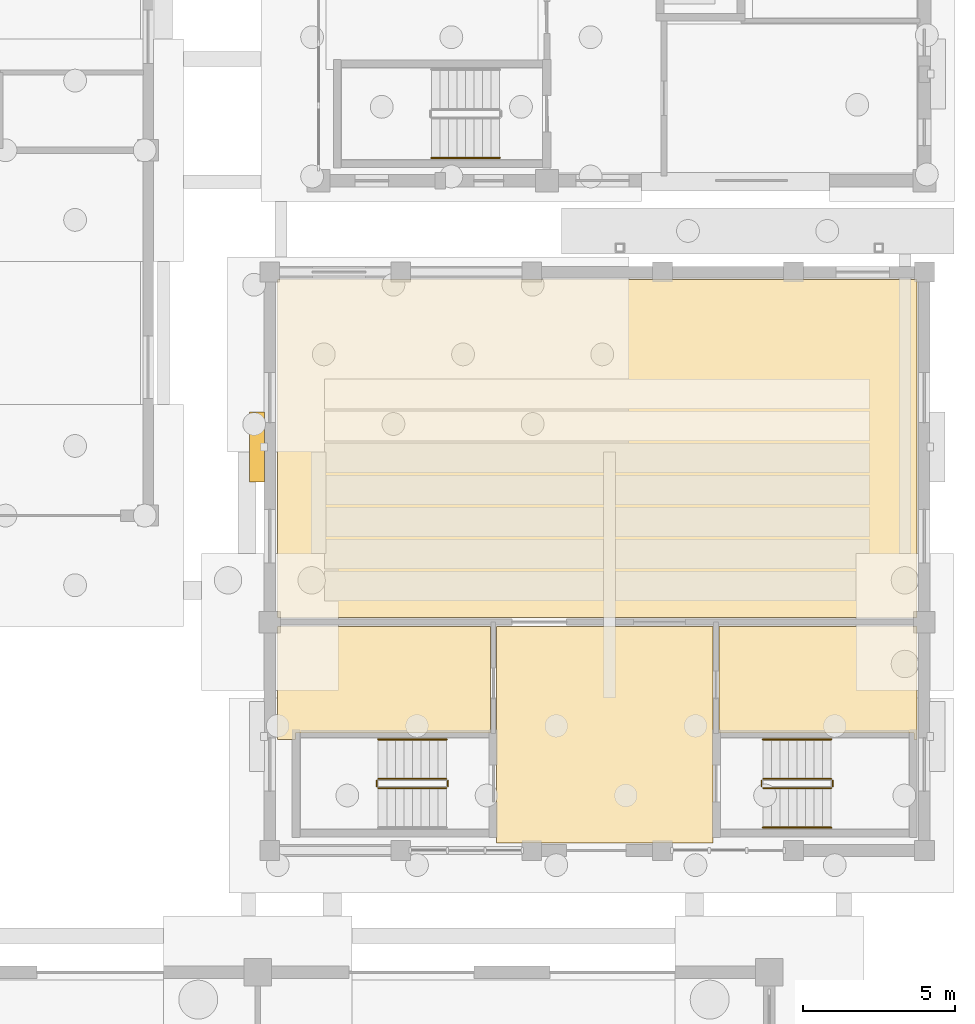
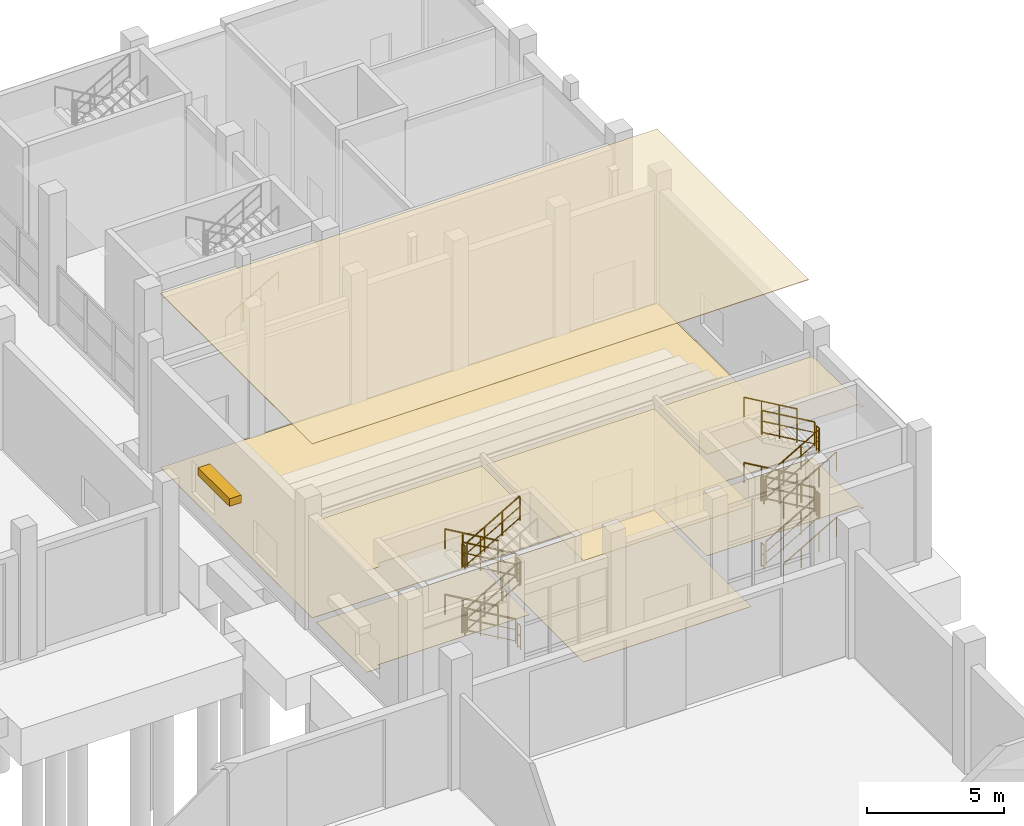
# One storey, part 57 of 60: 23 railings, 8 coverings, 1 shading device.
"""IFC4 building model written with IfcOpenShell, lengths in metres."""

from ifc_helpers import new_model, si_unit, direction, frame, origin, origin_2d, place, context, subcontext, project, spatial, polyline, rectangle, circle, outline, extrude, material, layer, layer_set, type_object, element, save


model = new_model("IFC4")

# Units and contexts
model_context = context("Model", 3, precision=1e-05, world=origin(), true_north=direction((0.0, 1.0)))
body_context = subcontext(model_context, "Body", "Model", "MODEL_VIEW")
ifc_project = project(units=[si_unit("LENGTHUNIT", "METRE"), si_unit("AREAUNIT", "SQUARE_METRE"), si_unit("VOLUMEUNIT", "CUBIC_METRE"), si_unit("PLANEANGLEUNIT", "RADIAN"), si_unit("MASSUNIT", "GRAM", prefix="KILO")], contexts=[model_context])

# Site, building, storey
site_placement = place(None, origin())
site = spatial("IfcSite", under=ifc_project, at=site_placement, CompositionType="ELEMENT")
building_placement = place(site_placement, origin())
building = spatial("IfcBuilding", under=site, at=building_placement, Name="Trellovar Central Fire Station", CompositionType="ELEMENT")
storey_placement = place(building_placement, origin())
storey = spatial("IfcBuildingStorey", under=building, at=storey_placement, Name="L01", CompositionType="ELEMENT", Elevation=0.0)

# Coverings
ifc_material_1 = material(Name="Perforated acoustic mineral fiber ceiling tile", Category="mineral")
ifc_layer_1 = layer(ifc_material_1, 0.02490234375)
ifc_layer_set_1 = layer_set([ifc_layer_1], Name="Perforated acoustic mineral fiber ceiling tile")
covering_type_1 = type_object("IfcCoveringType", Name="COV-CLG1", PredefinedType="CEILING", material=ifc_layer_set_1)
covering_1_placement = place(storey_placement, frame((0.0, 0.0, 4.530029296875)))
element("IfcCovering", 1, at=covering_1_placement, inside=storey, type_object=covering_type_1, Name="Lecture Protected Exit Lobby suspended ceiling", PredefinedType="CEILING", context=body_context, shape_type="SweptSolid", body=[
    extrude(outline(polyline([(154.050048828125, 37.25), (146.949951171875, 37.25), (146.949951171875, 44.35009765625), (154.050048828125, 44.35009765625), (154.050048828125, 37.25)])), origin(), (0.0, 0.0, 1.0), 0.02490234375),
])
covering_2_placement = place(storey_placement, frame((0.0, 0.0, 4.530029296875)))
element("IfcCovering", 2, at=covering_2_placement, inside=storey, type_object=covering_type_1, Name="Auditorium Coat Check and Ticket Office suspended ceiling", PredefinedType="CEILING", context=body_context, shape_type="SweptSolid", body=[
    extrude(outline(polyline([(139.75, 44.35009765625), (146.75, 44.35009765625), (146.75, 40.860107421875), (140.340087890625, 40.860107421875), (140.340087890625, 40.64990234375), (139.75, 40.64990234375), (139.75, 44.35009765625)])), origin(), (0.0, 0.0, 1.0), 0.02490234375),
])
covering_3_placement = place(storey_placement, frame((0.0, 0.0, 7.780029296875)))
element("IfcCovering", 3, at=covering_3_placement, inside=storey, type_object=covering_type_1, Name="Tiered Civic Lecture Theatre suspended ceiling", PredefinedType="CEILING", context=body_context, shape_type="SweptSolid", body=[
    extrude(outline(polyline([(160.75, 44.64990234375), (139.75, 44.64990234375), (139.75, 55.75), (160.75, 55.75), (160.75, 44.64990234375)])), origin(), (0.0, 0.0, 1.0), 0.02490234375),
])
ifc_material_2 = material(Name="Moisture-resistant gypsum ceiling board", Category="gypsum")
ifc_layer_2 = layer(ifc_material_2, 0.030029296875)
ifc_layer_set_2 = layer_set([ifc_layer_2], Name="Moisture-resistant gypsum ceiling board")
covering_type_2 = type_object("IfcCoveringType", Name="COV-CLG2", PredefinedType="CEILING", material=ifc_layer_set_2)
covering_4_placement = place(storey_placement, frame((0.0, 0.0, 4.530029296875)))
element("IfcCovering", 4, at=covering_4_placement, inside=storey, type_object=covering_type_2, Name="Auditorium Accessible WC suspended ceiling", PredefinedType="CEILING", context=body_context, shape_type="SweptSolid", body=[
    extrude(outline(polyline([(154.25, 44.35009765625), (160.75, 44.35009765625), (160.75, 40.64990234375), (160.659912109375, 40.64990234375), (160.659912109375, 40.860107421875), (154.25, 40.860107421875), (154.25, 44.35009765625)])), origin(), (0.0, 0.0, 1.0), 0.030029296875),
])
ifc_material_3 = material(Name="Vitrified Catalan ceramic floor tile", Category="masonry")
ifc_layer_3 = layer(ifc_material_3, 0.01806640625)
ifc_layer_set_3 = layer_set([ifc_layer_3], Name="Vitrified Catalan ceramic floor tile")
covering_type_3 = type_object("IfcCoveringType", Name="COV-FLR2", PredefinedType="FLOORING", material=ifc_layer_set_3)
covering_5_placement = place(storey_placement, origin())
element("IfcCovering", 5, at=covering_5_placement, inside=storey, type_object=covering_type_3, Name="Lecture Protected Exit Lobby floor finish", PredefinedType="FLOORING", context=body_context, shape_type="SweptSolid", body=[
    extrude(outline(polyline([(154.050048828125, 37.25), (146.949951171875, 37.25), (146.949951171875, 44.35009765625), (154.050048828125, 44.35009765625), (154.050048828125, 37.25)])), origin(), (0.0, 0.0, 1.0), 0.01806640625),
])
covering_6_placement = place(storey_placement, origin())
element("IfcCovering", 6, at=covering_6_placement, inside=storey, type_object=covering_type_3, Name="Auditorium Coat Check and Ticket Office floor finish", PredefinedType="FLOORING", context=body_context, shape_type="SweptSolid", body=[
    extrude(outline(polyline([(139.75, 44.35009765625), (146.75, 44.35009765625), (146.75, 40.860107421875), (140.340087890625, 40.860107421875), (140.340087890625, 40.64990234375), (139.75, 40.64990234375), (139.75, 44.35009765625)])), origin(), (0.0, 0.0, 1.0), 0.01806640625),
])
covering_7_placement = place(storey_placement, origin())
element("IfcCovering", 7, at=covering_7_placement, inside=storey, type_object=covering_type_3, Name="Auditorium Accessible WC floor finish", PredefinedType="FLOORING", context=body_context, shape_type="SweptSolid", body=[
    extrude(outline(polyline([(154.25, 44.35009765625), (160.75, 44.35009765625), (160.75, 40.64990234375), (160.659912109375, 40.64990234375), (160.659912109375, 40.860107421875), (154.25, 40.860107421875), (154.25, 44.35009765625)])), origin(), (0.0, 0.0, 1.0), 0.01806640625),
])
covering_8_placement = place(storey_placement, origin())
element("IfcCovering", 8, at=covering_8_placement, inside=storey, type_object=covering_type_3, Name="Tiered Civic Lecture Theatre floor finish", PredefinedType="FLOORING", context=body_context, shape_type="SweptSolid", body=[
    extrude(outline(polyline([(160.75, 44.64990234375), (139.75, 44.64990234375), (139.75, 55.75), (160.75, 55.75), (160.75, 44.64990234375)])), origin(), (0.0, 0.0, 1.0), 0.01806640625),
])

# Railings
ifc_material_4 = material(Name="Patina bronze wrought metalwork", Category="metal")
ifc_layer_4 = layer(ifc_material_4, 0.048095703125)
ifc_layer_set_4 = layer_set([ifc_layer_4], Name="Patina bronze wrought metalwork")
railing_type_1 = type_object("IfcRailingType", Name="RL-STAIR", PredefinedType="HANDRAIL", material=ifc_layer_set_4)
railing_1_placement = place(storey_placement, frame((144.81005859375, 59.75, 1.625)))
element("IfcRailing", 9, at=railing_1_placement, inside=storey, type_object=railing_type_1, Name="L01 ST-05 stair handrail 2", PredefinedType="HANDRAIL", context=body_context, shape_type="SweptSolid", body=[
    extrude(circle(Radius=0.02392578125, at=origin_2d()), frame((0.0, 0.0, 0.8759765625), z_axis=(0.864887963814, 0.0, 0.501964949025), x_axis=(0.0, 1.0, 0.0)), (0.0, 0.0, 1.0), 2.58984375),
    extrude(circle(Radius=0.02099609375, at=origin_2d()), origin(), (0.0, 0.0, 1.0), 0.851806640625),
    extrude(circle(Radius=0.02099609375, at=origin_2d()), frame((0.74658203125, 0.0, 0.433349609375)), (0.0, 0.0, 1.0), 0.851806640625),
    extrude(circle(Radius=0.02099609375, at=origin_2d()), frame((1.493408203125, 0.0, 0.86669921875)), (0.0, 0.0, 1.0), 0.851806640625),
    extrude(circle(Radius=0.02099609375, at=origin_2d()), frame((2.239990234375, 0.0, 1.300048828125)), (0.0, 0.0, 1.0), 0.851806640625),
])
railing_2_placement = place(storey_placement, frame((145.300048828125, 40.64990234375, 0.16259765625)))
element("IfcRailing", 10, at=railing_2_placement, inside=storey, type_object=railing_type_1, Name="L01 ST-09 stair handrail 1", PredefinedType="HANDRAIL", context=body_context, shape_type="SweptSolid", body=[
    extrude(circle(Radius=0.02392578125, at=origin_2d()), frame((0.0, 0.0, 0.8759765625), z_axis=(-0.864928887719, 0.0, 0.501894430323), x_axis=(0.0, -1.0, 0.0)), (0.0, 0.0, 1.0), 2.58984375),
    extrude(circle(Radius=0.02099609375, at=origin_2d()), origin(), (0.0, 0.0, 1.0), 0.851806640625),
    extrude(circle(Radius=0.02099609375, at=origin_2d()), frame((-0.74658203125, 0.0, 0.433349609375)), (0.0, 0.0, 1.0), 0.851806640625),
    extrude(circle(Radius=0.02099609375, at=origin_2d()), frame((-1.493408203125, 0.0, 0.866455078125)), (0.0, 0.0, 1.0), 0.851806640625),
    extrude(circle(Radius=0.02099609375, at=origin_2d()), frame((-2.239990234375, 0.0, 1.2998046875)), (0.0, 0.0, 1.0), 0.851806640625),
])
railing_3_placement = place(storey_placement, frame((145.300048828125, 40.64990234375, 3.08740234375)))
element("IfcRailing", 11, at=railing_3_placement, inside=storey, type_object=railing_type_1, Name="L01 ST-09 stair handrail 3", PredefinedType="HANDRAIL", context=body_context, shape_type="SweptSolid", body=[
    extrude(circle(Radius=0.02392578125, at=origin_2d()), frame((0.0, 0.0, 0.8759765625), z_axis=(-0.864887963814, 0.0, 0.501964949025), x_axis=(0.0, -1.0, 0.0)), (0.0, 0.0, 1.0), 2.58984375),
    extrude(circle(Radius=0.02099609375, at=origin_2d()), origin(), (0.0, 0.0, 1.0), 0.851806640625),
    extrude(circle(Radius=0.02099609375, at=origin_2d()), frame((-0.74658203125, 0.0, 0.433349609375)), (0.0, 0.0, 1.0), 0.851806640625),
    extrude(circle(Radius=0.02099609375, at=origin_2d()), frame((-1.493408203125, 0.0, 0.86669921875)), (0.0, 0.0, 1.0), 0.851806640625),
    extrude(circle(Radius=0.02099609375, at=origin_2d()), frame((-2.239990234375, 0.0, 1.300048828125)), (0.0, 0.0, 1.0), 0.851806640625),
])
railing_4_placement = place(storey_placement, frame((155.699951171875, 37.75, 0.16259765625)))
element("IfcRailing", 12, at=railing_4_placement, inside=storey, type_object=railing_type_1, Name="L01 ST-10 stair handrail 1", PredefinedType="HANDRAIL", context=body_context, shape_type="SweptSolid", body=[
    extrude(circle(Radius=0.02392578125, at=origin_2d()), frame((0.0, 0.0, 0.8759765625), z_axis=(0.864928887719, 0.0, 0.501894430323), x_axis=(0.0, 1.0, 0.0)), (0.0, 0.0, 1.0), 2.58984375),
    extrude(circle(Radius=0.02099609375, at=origin_2d()), origin(), (0.0, 0.0, 1.0), 0.851806640625),
    extrude(circle(Radius=0.02099609375, at=origin_2d()), frame((0.74658203125, 0.0, 0.433349609375)), (0.0, 0.0, 1.0), 0.851806640625),
    extrude(circle(Radius=0.02099609375, at=origin_2d()), frame((1.493408203125, 0.0, 0.866455078125)), (0.0, 0.0, 1.0), 0.851806640625),
    extrude(circle(Radius=0.02099609375, at=origin_2d()), frame((2.239990234375, 0.0, 1.2998046875)), (0.0, 0.0, 1.0), 0.851806640625),
])
railing_5_placement = place(storey_placement, frame((157.93994140625, 40.64990234375, 1.625)))
element("IfcRailing", 13, at=railing_5_placement, inside=storey, type_object=railing_type_1, Name="L01 ST-10 stair handrail 2", PredefinedType="HANDRAIL", context=body_context, shape_type="SweptSolid", body=[
    extrude(circle(Radius=0.02392578125, at=origin_2d()), frame((0.0, 0.0, 0.8759765625), z_axis=(-0.864887963814, 0.0, 0.501964949025), x_axis=(0.0, -1.0, 0.0)), (0.0, 0.0, 1.0), 2.58984375),
    extrude(circle(Radius=0.02099609375, at=origin_2d()), origin(), (0.0, 0.0, 1.0), 0.851806640625),
    extrude(circle(Radius=0.02099609375, at=origin_2d()), frame((-0.74658203125, 0.0, 0.433349609375)), (0.0, 0.0, 1.0), 0.851806640625),
    extrude(circle(Radius=0.02099609375, at=origin_2d()), frame((-1.493408203125, 0.0, 0.86669921875)), (0.0, 0.0, 1.0), 0.851806640625),
    extrude(circle(Radius=0.02099609375, at=origin_2d()), frame((-2.239990234375, 0.0, 1.300048828125)), (0.0, 0.0, 1.0), 0.851806640625),
])
railing_6_placement = place(storey_placement, frame((155.699951171875, 37.75, 3.08740234375)))
element("IfcRailing", 14, at=railing_6_placement, inside=storey, type_object=railing_type_1, Name="L01 ST-10 stair handrail 3", PredefinedType="HANDRAIL", context=body_context, shape_type="SweptSolid", body=[
    extrude(circle(Radius=0.02392578125, at=origin_2d()), frame((0.0, 0.0, 0.8759765625), z_axis=(0.864887963814, 0.0, 0.501964949025), x_axis=(0.0, 1.0, 0.0)), (0.0, 0.0, 1.0), 2.58984375),
    extrude(circle(Radius=0.02099609375, at=origin_2d()), origin(), (0.0, 0.0, 1.0), 0.851806640625),
    extrude(circle(Radius=0.02099609375, at=origin_2d()), frame((0.74658203125, 0.0, 0.433349609375)), (0.0, 0.0, 1.0), 0.851806640625),
    extrude(circle(Radius=0.02099609375, at=origin_2d()), frame((1.493408203125, 0.0, 0.86669921875)), (0.0, 0.0, 1.0), 0.851806640625),
    extrude(circle(Radius=0.02099609375, at=origin_2d()), frame((2.239990234375, 0.0, 1.300048828125)), (0.0, 0.0, 1.0), 0.851806640625),
])
railing_7_placement = place(storey_placement, frame((157.93994140625, 40.64990234375, 4.550048828125)))
element("IfcRailing", 15, at=railing_7_placement, inside=storey, type_object=railing_type_1, Name="L01 ST-10 stair handrail 4", PredefinedType="HANDRAIL", context=body_context, shape_type="SweptSolid", body=[
    extrude(circle(Radius=0.02392578125, at=origin_2d()), frame((0.0, 0.0, 0.8759765625), z_axis=(-0.864887963814, 0.0, 0.501964949025), x_axis=(0.0, -1.0, 0.0)), (0.0, 0.0, 1.0), 2.58984375),
    extrude(circle(Radius=0.02099609375, at=origin_2d()), origin(), (0.0, 0.0, 1.0), 0.851806640625),
    extrude(circle(Radius=0.02099609375, at=origin_2d()), frame((-0.74658203125, 0.0, 0.433349609375)), (0.0, 0.0, 1.0), 0.851806640625),
    extrude(circle(Radius=0.02099609375, at=origin_2d()), frame((-1.493408203125, 0.0, 0.86669921875)), (0.0, 0.0, 1.0), 0.851806640625),
    extrude(circle(Radius=0.02099609375, at=origin_2d()), frame((-2.239990234375, 0.0, 1.300048828125)), (0.0, 0.0, 1.0), 0.851806640625),
])
ifc_material_5 = material(Name="Patina bronze wrought metalwork", Category="metal")
ifc_layer_5 = layer(ifc_material_5, 0.050048828125)
ifc_layer_set_5 = layer_set([ifc_layer_5], Name="Patina bronze wrought metalwork")
railing_type_2 = type_object("IfcRailingType", Name="RL-STGUARD", PredefinedType="GUARDRAIL", material=ifc_layer_set_5)
railing_8_placement = place(storey_placement, frame((145.300048828125, 39.35009765625, 0.16259765625)))
element("IfcRailing", 16, at=railing_8_placement, inside=storey, type_object=railing_type_2, Name="L01 ST-09 stair guard 1", PredefinedType="GUARDRAIL", context=body_context, shape_type="SweptSolid", body=[
    extrude(circle(Radius=0.02392578125, at=origin_2d()), frame((0.0, 0.0, 1.076171875), z_axis=(-0.864928887719, 0.0, 0.501894430323), x_axis=(0.0, -1.0, 0.0)), (0.0, 0.0, 1.0), 2.58984375),
    extrude(circle(Radius=0.015625, at=origin_2d()), frame((0.0, 0.0, 0.10009765625), z_axis=(-0.864928887719, 0.0, 0.501894430323), x_axis=(0.0, -1.0, 0.0)), (0.0, 0.0, 1.0), 2.58984375),
    extrude(circle(Radius=0.015625, at=origin_2d()), frame((0.0, 0.0, 0.60498046875), z_axis=(-0.864928887719, 0.0, 0.501894430323), x_axis=(0.0, -1.0, 0.0)), (0.0, 0.0, 1.0), 2.58984375),
    extrude(circle(Radius=0.02099609375, at=origin_2d()), origin(), (0.0, 0.0, 1.0), 1.052001953125),
    extrude(circle(Radius=0.02099609375, at=origin_2d()), frame((-0.74658203125, 0.0, 0.433349609375)), (0.0, 0.0, 1.0), 1.052001953125),
    extrude(circle(Radius=0.02099609375, at=origin_2d()), frame((-1.493408203125, 0.0, 0.866455078125)), (0.0, 0.0, 1.0), 1.052001953125),
    extrude(circle(Radius=0.02099609375, at=origin_2d()), frame((-2.239990234375, 0.0, 1.2998046875)), (0.0, 0.0, 1.0), 1.052001953125),
])
railing_9_placement = place(storey_placement, frame((143.010009765625, 39.300048828125, 1.46240234375)))
element("IfcRailing", 17, at=railing_9_placement, inside=storey, type_object=railing_type_2, Name="L01 ST-09 stair guard 2", PredefinedType="GUARDRAIL", context=body_context, shape_type="SweptSolid", body=[
    extrude(circle(Radius=0.02392578125, at=origin_2d()), frame((0.0, 0.0, 1.076171875), z_axis=(0.0, -1.0, 0.0), x_axis=(1.0, 0.0, 0.0)), (0.0, 0.0, 1.0), 0.199951171875),
    extrude(circle(Radius=0.015625, at=origin_2d()), frame((0.0, 0.0, 0.10009765625), z_axis=(0.0, -1.0, 0.0), x_axis=(1.0, 0.0, 0.0)), (0.0, 0.0, 1.0), 0.199951171875),
    extrude(circle(Radius=0.015625, at=origin_2d()), frame((0.0, 0.0, 0.60498046875), z_axis=(0.0, -1.0, 0.0), x_axis=(1.0, 0.0, 0.0)), (0.0, 0.0, 1.0), 0.199951171875),
    extrude(circle(Radius=0.02099609375, at=origin_2d()), origin(), (0.0, 0.0, 1.0), 1.052001953125),
    extrude(circle(Radius=0.02099609375, at=origin_2d()), frame((0.0, -0.199951171875, 0.0)), (0.0, 0.0, 1.0), 1.052001953125),
])
railing_10_placement = place(storey_placement, frame((143.06005859375, 39.050048828125, 1.625)))
element("IfcRailing", 18, at=railing_10_placement, inside=storey, type_object=railing_type_2, Name="L01 ST-09 stair guard 3", PredefinedType="GUARDRAIL", context=body_context, shape_type="SweptSolid", body=[
    extrude(circle(Radius=0.02392578125, at=origin_2d()), frame((0.0, 0.0, 1.076171875), z_axis=(0.864887963814, 0.0, 0.501964949025), x_axis=(0.0, 1.0, 0.0)), (0.0, 0.0, 1.0), 2.58984375),
    extrude(circle(Radius=0.015625, at=origin_2d()), frame((0.0, 0.0, 0.10009765625), z_axis=(0.864887963814, 0.0, 0.501964949025), x_axis=(0.0, 1.0, 0.0)), (0.0, 0.0, 1.0), 2.58984375),
    extrude(circle(Radius=0.015625, at=origin_2d()), frame((0.0, 0.0, 0.60498046875), z_axis=(0.864887963814, 0.0, 0.501964949025), x_axis=(0.0, 1.0, 0.0)), (0.0, 0.0, 1.0), 2.58984375),
    extrude(circle(Radius=0.02099609375, at=origin_2d()), origin(), (0.0, 0.0, 1.0), 1.052001953125),
    extrude(circle(Radius=0.02099609375, at=origin_2d()), frame((0.74658203125, 0.0, 0.433349609375)), (0.0, 0.0, 1.0), 1.052001953125),
    extrude(circle(Radius=0.02099609375, at=origin_2d()), frame((1.493408203125, 0.0, 0.86669921875)), (0.0, 0.0, 1.0), 1.052001953125),
    extrude(circle(Radius=0.02099609375, at=origin_2d()), frame((2.239990234375, 0.0, 1.300048828125)), (0.0, 0.0, 1.0), 1.052001953125),
])
railing_11_placement = place(storey_placement, frame((145.35009765625, 39.300048828125, 2.925048828125)))
element("IfcRailing", 19, at=railing_11_placement, inside=storey, type_object=railing_type_2, Name="L01 ST-09 stair guard 4", PredefinedType="GUARDRAIL", context=body_context, shape_type="SweptSolid", body=[
    extrude(circle(Radius=0.02392578125, at=origin_2d()), frame((0.0, 0.0, 1.076171875), z_axis=(0.0, -1.0, 0.0), x_axis=(1.0, 0.0, 0.0)), (0.0, 0.0, 1.0), 0.199951171875),
    extrude(circle(Radius=0.015625, at=origin_2d()), frame((0.0, 0.0, 0.10009765625), z_axis=(0.0, -1.0, 0.0), x_axis=(1.0, 0.0, 0.0)), (0.0, 0.0, 1.0), 0.199951171875),
    extrude(circle(Radius=0.015625, at=origin_2d()), frame((0.0, 0.0, 0.60498046875), z_axis=(0.0, -1.0, 0.0), x_axis=(1.0, 0.0, 0.0)), (0.0, 0.0, 1.0), 0.199951171875),
    extrude(circle(Radius=0.02099609375, at=origin_2d()), origin(), (0.0, 0.0, 1.0), 1.052001953125),
    extrude(circle(Radius=0.02099609375, at=origin_2d()), frame((0.0, -0.199951171875, 0.0)), (0.0, 0.0, 1.0), 1.052001953125),
])
railing_12_placement = place(storey_placement, frame((145.300048828125, 39.35009765625, 3.08740234375)))
element("IfcRailing", 20, at=railing_12_placement, inside=storey, type_object=railing_type_2, Name="L01 ST-09 stair guard 5", PredefinedType="GUARDRAIL", context=body_context, shape_type="SweptSolid", body=[
    extrude(circle(Radius=0.02392578125, at=origin_2d()), frame((0.0, 0.0, 1.076171875), z_axis=(-0.864887963814, 0.0, 0.501964949025), x_axis=(0.0, -1.0, 0.0)), (0.0, 0.0, 1.0), 2.58984375),
    extrude(circle(Radius=0.015625, at=origin_2d()), frame((0.0, 0.0, 0.10009765625), z_axis=(-0.864887963814, 0.0, 0.501964949025), x_axis=(0.0, -1.0, 0.0)), (0.0, 0.0, 1.0), 2.58984375),
    extrude(circle(Radius=0.015625, at=origin_2d()), frame((0.0, 0.0, 0.60498046875), z_axis=(-0.864887963814, 0.0, 0.501964949025), x_axis=(0.0, -1.0, 0.0)), (0.0, 0.0, 1.0), 2.58984375),
    extrude(circle(Radius=0.02099609375, at=origin_2d()), origin(), (0.0, 0.0, 1.0), 1.052001953125),
    extrude(circle(Radius=0.02099609375, at=origin_2d()), frame((-0.74658203125, 0.0, 0.433349609375)), (0.0, 0.0, 1.0), 1.052001953125),
    extrude(circle(Radius=0.02099609375, at=origin_2d()), frame((-1.493408203125, 0.0, 0.86669921875)), (0.0, 0.0, 1.0), 1.052001953125),
    extrude(circle(Radius=0.02099609375, at=origin_2d()), frame((-2.239990234375, 0.0, 1.300048828125)), (0.0, 0.0, 1.0), 1.052001953125),
])
railing_13_placement = place(storey_placement, frame((143.010009765625, 39.300048828125, 4.387451171875)))
element("IfcRailing", 21, at=railing_13_placement, inside=storey, type_object=railing_type_2, Name="L01 ST-09 stair guard 6", PredefinedType="GUARDRAIL", context=body_context, shape_type="SweptSolid", body=[
    extrude(circle(Radius=0.02392578125, at=origin_2d()), frame((0.0, 0.0, 1.076171875), z_axis=(0.0, -1.0, 0.0), x_axis=(1.0, 0.0, 0.0)), (0.0, 0.0, 1.0), 0.199951171875),
    extrude(circle(Radius=0.015625, at=origin_2d()), frame((0.0, 0.0, 0.10009765625), z_axis=(0.0, -1.0, 0.0), x_axis=(1.0, 0.0, 0.0)), (0.0, 0.0, 1.0), 0.199951171875),
    extrude(circle(Radius=0.015625, at=origin_2d()), frame((0.0, 0.0, 0.60498046875), z_axis=(0.0, -1.0, 0.0), x_axis=(1.0, 0.0, 0.0)), (0.0, 0.0, 1.0), 0.199951171875),
    extrude(circle(Radius=0.02099609375, at=origin_2d()), origin(), (0.0, 0.0, 1.0), 1.052001953125),
    extrude(circle(Radius=0.02099609375, at=origin_2d()), frame((0.0, -0.199951171875, 0.0)), (0.0, 0.0, 1.0), 1.052001953125),
])
railing_14_placement = place(storey_placement, frame((143.06005859375, 39.050048828125, 4.550048828125)))
element("IfcRailing", 22, at=railing_14_placement, inside=storey, type_object=railing_type_2, Name="L01 ST-09 stair guard 7", PredefinedType="GUARDRAIL", context=body_context, shape_type="SweptSolid", body=[
    extrude(circle(Radius=0.02392578125, at=origin_2d()), frame((0.0, 0.0, 1.076171875), z_axis=(0.864887963814, 0.0, 0.501964949025), x_axis=(0.0, 1.0, 0.0)), (0.0, 0.0, 1.0), 2.58984375),
    extrude(circle(Radius=0.015625, at=origin_2d()), frame((0.0, 0.0, 0.10009765625), z_axis=(0.864887963814, 0.0, 0.501964949025), x_axis=(0.0, 1.0, 0.0)), (0.0, 0.0, 1.0), 2.58984375),
    extrude(circle(Radius=0.015625, at=origin_2d()), frame((0.0, 0.0, 0.60498046875), z_axis=(0.864887963814, 0.0, 0.501964949025), x_axis=(0.0, 1.0, 0.0)), (0.0, 0.0, 1.0), 2.58984375),
    extrude(circle(Radius=0.02099609375, at=origin_2d()), origin(), (0.0, 0.0, 1.0), 1.052001953125),
    extrude(circle(Radius=0.02099609375, at=origin_2d()), frame((0.74658203125, 0.0, 0.433349609375)), (0.0, 0.0, 1.0), 1.052001953125),
    extrude(circle(Radius=0.02099609375, at=origin_2d()), frame((1.493408203125, 0.0, 0.86669921875)), (0.0, 0.0, 1.0), 1.052001953125),
    extrude(circle(Radius=0.02099609375, at=origin_2d()), frame((2.239990234375, 0.0, 1.300048828125)), (0.0, 0.0, 1.0), 1.052001953125),
])
railing_15_placement = place(storey_placement, frame((145.35009765625, 39.300048828125, 0.0)))
element("IfcRailing", 23, at=railing_15_placement, inside=storey, type_object=railing_type_2, Name="L01 ST-09 stair guard 8", PredefinedType="GUARDRAIL", context=body_context, shape_type="SweptSolid", body=[
    extrude(circle(Radius=0.02392578125, at=origin_2d()), frame((0.0, 0.0, 1.076171875), z_axis=(0.0, -1.0, 0.0), x_axis=(1.0, 0.0, 0.0)), (0.0, 0.0, 1.0), 0.199951171875),
    extrude(circle(Radius=0.015625, at=origin_2d()), frame((0.0, 0.0, 0.10009765625), z_axis=(0.0, -1.0, 0.0), x_axis=(1.0, 0.0, 0.0)), (0.0, 0.0, 1.0), 0.199951171875),
    extrude(circle(Radius=0.015625, at=origin_2d()), frame((0.0, 0.0, 0.60498046875), z_axis=(0.0, -1.0, 0.0), x_axis=(1.0, 0.0, 0.0)), (0.0, 0.0, 1.0), 0.199951171875),
    extrude(circle(Radius=0.02099609375, at=origin_2d()), origin(), (0.0, 0.0, 1.0), 1.052001953125),
    extrude(circle(Radius=0.02099609375, at=origin_2d()), frame((0.0, -0.199951171875, 0.0)), (0.0, 0.0, 1.0), 1.052001953125),
])
railing_16_placement = place(storey_placement, frame((155.699951171875, 39.050048828125, 0.16259765625)))
element("IfcRailing", 24, at=railing_16_placement, inside=storey, type_object=railing_type_2, Name="L01 ST-10 stair guard 1", PredefinedType="GUARDRAIL", context=body_context, shape_type="SweptSolid", body=[
    extrude(circle(Radius=0.02392578125, at=origin_2d()), frame((0.0, 0.0, 1.076171875), z_axis=(0.864928887719, 0.0, 0.501894430323), x_axis=(0.0, 1.0, 0.0)), (0.0, 0.0, 1.0), 2.58984375),
    extrude(circle(Radius=0.015625, at=origin_2d()), frame((0.0, 0.0, 0.10009765625), z_axis=(0.864928887719, 0.0, 0.501894430323), x_axis=(0.0, 1.0, 0.0)), (0.0, 0.0, 1.0), 2.58984375),
    extrude(circle(Radius=0.015625, at=origin_2d()), frame((0.0, 0.0, 0.60498046875), z_axis=(0.864928887719, 0.0, 0.501894430323), x_axis=(0.0, 1.0, 0.0)), (0.0, 0.0, 1.0), 2.58984375),
    extrude(circle(Radius=0.02099609375, at=origin_2d()), origin(), (0.0, 0.0, 1.0), 1.052001953125),
    extrude(circle(Radius=0.02099609375, at=origin_2d()), frame((0.74658203125, 0.0, 0.433349609375)), (0.0, 0.0, 1.0), 1.052001953125),
    extrude(circle(Radius=0.02099609375, at=origin_2d()), frame((1.493408203125, 0.0, 0.866455078125)), (0.0, 0.0, 1.0), 1.052001953125),
    extrude(circle(Radius=0.02099609375, at=origin_2d()), frame((2.239990234375, 0.0, 1.2998046875)), (0.0, 0.0, 1.0), 1.052001953125),
])
railing_17_placement = place(storey_placement, frame((157.989990234375, 39.10009765625, 1.46240234375)))
element("IfcRailing", 25, at=railing_17_placement, inside=storey, type_object=railing_type_2, Name="L01 ST-10 stair guard 2", PredefinedType="GUARDRAIL", context=body_context, shape_type="SweptSolid", body=[
    extrude(circle(Radius=0.02392578125, at=origin_2d()), frame((0.0, 0.0, 1.076171875), z_axis=(0.0, 1.0, 0.0), x_axis=(-1.0, 0.0, 0.0)), (0.0, 0.0, 1.0), 0.199951171875),
    extrude(circle(Radius=0.015625, at=origin_2d()), frame((0.0, 0.0, 0.10009765625), z_axis=(0.0, 1.0, 0.0), x_axis=(-1.0, 0.0, 0.0)), (0.0, 0.0, 1.0), 0.199951171875),
    extrude(circle(Radius=0.015625, at=origin_2d()), frame((0.0, 0.0, 0.60498046875), z_axis=(0.0, 1.0, 0.0), x_axis=(-1.0, 0.0, 0.0)), (0.0, 0.0, 1.0), 0.199951171875),
    extrude(circle(Radius=0.02099609375, at=origin_2d()), origin(), (0.0, 0.0, 1.0), 1.052001953125),
    extrude(circle(Radius=0.02099609375, at=origin_2d()), frame((0.0, 0.199951171875, 0.0)), (0.0, 0.0, 1.0), 1.052001953125),
])
railing_18_placement = place(storey_placement, frame((157.93994140625, 39.35009765625, 1.625)))
element("IfcRailing", 26, at=railing_18_placement, inside=storey, type_object=railing_type_2, Name="L01 ST-10 stair guard 3", PredefinedType="GUARDRAIL", context=body_context, shape_type="SweptSolid", body=[
    extrude(circle(Radius=0.02392578125, at=origin_2d()), frame((0.0, 0.0, 1.076171875), z_axis=(-0.864887963814, 0.0, 0.501964949025), x_axis=(0.0, -1.0, 0.0)), (0.0, 0.0, 1.0), 2.58984375),
    extrude(circle(Radius=0.015625, at=origin_2d()), frame((0.0, 0.0, 0.10009765625), z_axis=(-0.864887963814, 0.0, 0.501964949025), x_axis=(0.0, -1.0, 0.0)), (0.0, 0.0, 1.0), 2.58984375),
    extrude(circle(Radius=0.015625, at=origin_2d()), frame((0.0, 0.0, 0.60498046875), z_axis=(-0.864887963814, 0.0, 0.501964949025), x_axis=(0.0, -1.0, 0.0)), (0.0, 0.0, 1.0), 2.58984375),
    extrude(circle(Radius=0.02099609375, at=origin_2d()), origin(), (0.0, 0.0, 1.0), 1.052001953125),
    extrude(circle(Radius=0.02099609375, at=origin_2d()), frame((-0.74658203125, 0.0, 0.433349609375)), (0.0, 0.0, 1.0), 1.052001953125),
    extrude(circle(Radius=0.02099609375, at=origin_2d()), frame((-1.493408203125, 0.0, 0.86669921875)), (0.0, 0.0, 1.0), 1.052001953125),
    extrude(circle(Radius=0.02099609375, at=origin_2d()), frame((-2.239990234375, 0.0, 1.300048828125)), (0.0, 0.0, 1.0), 1.052001953125),
])
railing_19_placement = place(storey_placement, frame((155.64990234375, 39.10009765625, 2.925048828125)))
element("IfcRailing", 27, at=railing_19_placement, inside=storey, type_object=railing_type_2, Name="L01 ST-10 stair guard 4", PredefinedType="GUARDRAIL", context=body_context, shape_type="SweptSolid", body=[
    extrude(circle(Radius=0.02392578125, at=origin_2d()), frame((0.0, 0.0, 1.076171875), z_axis=(0.0, 1.0, 0.0), x_axis=(-1.0, 0.0, 0.0)), (0.0, 0.0, 1.0), 0.199951171875),
    extrude(circle(Radius=0.015625, at=origin_2d()), frame((0.0, 0.0, 0.10009765625), z_axis=(0.0, 1.0, 0.0), x_axis=(-1.0, 0.0, 0.0)), (0.0, 0.0, 1.0), 0.199951171875),
    extrude(circle(Radius=0.015625, at=origin_2d()), frame((0.0, 0.0, 0.60498046875), z_axis=(0.0, 1.0, 0.0), x_axis=(-1.0, 0.0, 0.0)), (0.0, 0.0, 1.0), 0.199951171875),
    extrude(circle(Radius=0.02099609375, at=origin_2d()), origin(), (0.0, 0.0, 1.0), 1.052001953125),
    extrude(circle(Radius=0.02099609375, at=origin_2d()), frame((0.0, 0.199951171875, 0.0)), (0.0, 0.0, 1.0), 1.052001953125),
])
railing_20_placement = place(storey_placement, frame((155.699951171875, 39.050048828125, 3.08740234375)))
element("IfcRailing", 28, at=railing_20_placement, inside=storey, type_object=railing_type_2, Name="L01 ST-10 stair guard 5", PredefinedType="GUARDRAIL", context=body_context, shape_type="SweptSolid", body=[
    extrude(circle(Radius=0.02392578125, at=origin_2d()), frame((0.0, 0.0, 1.076171875), z_axis=(0.864887963814, 0.0, 0.501964949025), x_axis=(0.0, 1.0, 0.0)), (0.0, 0.0, 1.0), 2.58984375),
    extrude(circle(Radius=0.015625, at=origin_2d()), frame((0.0, 0.0, 0.10009765625), z_axis=(0.864887963814, 0.0, 0.501964949025), x_axis=(0.0, 1.0, 0.0)), (0.0, 0.0, 1.0), 2.58984375),
    extrude(circle(Radius=0.015625, at=origin_2d()), frame((0.0, 0.0, 0.60498046875), z_axis=(0.864887963814, 0.0, 0.501964949025), x_axis=(0.0, 1.0, 0.0)), (0.0, 0.0, 1.0), 2.58984375),
    extrude(circle(Radius=0.02099609375, at=origin_2d()), origin(), (0.0, 0.0, 1.0), 1.052001953125),
    extrude(circle(Radius=0.02099609375, at=origin_2d()), frame((0.74658203125, 0.0, 0.433349609375)), (0.0, 0.0, 1.0), 1.052001953125),
    extrude(circle(Radius=0.02099609375, at=origin_2d()), frame((1.493408203125, 0.0, 0.86669921875)), (0.0, 0.0, 1.0), 1.052001953125),
    extrude(circle(Radius=0.02099609375, at=origin_2d()), frame((2.239990234375, 0.0, 1.300048828125)), (0.0, 0.0, 1.0), 1.052001953125),
])
railing_21_placement = place(storey_placement, frame((157.989990234375, 39.10009765625, 4.387451171875)))
element("IfcRailing", 29, at=railing_21_placement, inside=storey, type_object=railing_type_2, Name="L01 ST-10 stair guard 6", PredefinedType="GUARDRAIL", context=body_context, shape_type="SweptSolid", body=[
    extrude(circle(Radius=0.02392578125, at=origin_2d()), frame((0.0, 0.0, 1.076171875), z_axis=(0.0, 1.0, 0.0), x_axis=(-1.0, 0.0, 0.0)), (0.0, 0.0, 1.0), 0.199951171875),
    extrude(circle(Radius=0.015625, at=origin_2d()), frame((0.0, 0.0, 0.10009765625), z_axis=(0.0, 1.0, 0.0), x_axis=(-1.0, 0.0, 0.0)), (0.0, 0.0, 1.0), 0.199951171875),
    extrude(circle(Radius=0.015625, at=origin_2d()), frame((0.0, 0.0, 0.60498046875), z_axis=(0.0, 1.0, 0.0), x_axis=(-1.0, 0.0, 0.0)), (0.0, 0.0, 1.0), 0.199951171875),
    extrude(circle(Radius=0.02099609375, at=origin_2d()), origin(), (0.0, 0.0, 1.0), 1.052001953125),
    extrude(circle(Radius=0.02099609375, at=origin_2d()), frame((0.0, 0.199951171875, 0.0)), (0.0, 0.0, 1.0), 1.052001953125),
])
railing_22_placement = place(storey_placement, frame((157.93994140625, 39.35009765625, 4.550048828125)))
element("IfcRailing", 30, at=railing_22_placement, inside=storey, type_object=railing_type_2, Name="L01 ST-10 stair guard 7", PredefinedType="GUARDRAIL", context=body_context, shape_type="SweptSolid", body=[
    extrude(circle(Radius=0.02392578125, at=origin_2d()), frame((0.0, 0.0, 1.076171875), z_axis=(-0.864887963814, 0.0, 0.501964949025), x_axis=(0.0, -1.0, 0.0)), (0.0, 0.0, 1.0), 2.58984375),
    extrude(circle(Radius=0.015625, at=origin_2d()), frame((0.0, 0.0, 0.10009765625), z_axis=(-0.864887963814, 0.0, 0.501964949025), x_axis=(0.0, -1.0, 0.0)), (0.0, 0.0, 1.0), 2.58984375),
    extrude(circle(Radius=0.015625, at=origin_2d()), frame((0.0, 0.0, 0.60498046875), z_axis=(-0.864887963814, 0.0, 0.501964949025), x_axis=(0.0, -1.0, 0.0)), (0.0, 0.0, 1.0), 2.58984375),
    extrude(circle(Radius=0.02099609375, at=origin_2d()), origin(), (0.0, 0.0, 1.0), 1.052001953125),
    extrude(circle(Radius=0.02099609375, at=origin_2d()), frame((-0.74658203125, 0.0, 0.433349609375)), (0.0, 0.0, 1.0), 1.052001953125),
    extrude(circle(Radius=0.02099609375, at=origin_2d()), frame((-1.493408203125, 0.0, 0.86669921875)), (0.0, 0.0, 1.0), 1.052001953125),
    extrude(circle(Radius=0.02099609375, at=origin_2d()), frame((-2.239990234375, 0.0, 1.300048828125)), (0.0, 0.0, 1.0), 1.052001953125),
])
railing_23_placement = place(storey_placement, frame((155.64990234375, 39.10009765625, 0.0)))
element("IfcRailing", 31, at=railing_23_placement, inside=storey, type_object=railing_type_2, Name="L01 ST-10 stair guard 8", PredefinedType="GUARDRAIL", context=body_context, shape_type="SweptSolid", body=[
    extrude(circle(Radius=0.02392578125, at=origin_2d()), frame((0.0, 0.0, 1.076171875), z_axis=(0.0, 1.0, 0.0), x_axis=(-1.0, 0.0, 0.0)), (0.0, 0.0, 1.0), 0.199951171875),
    extrude(circle(Radius=0.015625, at=origin_2d()), frame((0.0, 0.0, 0.10009765625), z_axis=(0.0, 1.0, 0.0), x_axis=(-1.0, 0.0, 0.0)), (0.0, 0.0, 1.0), 0.199951171875),
    extrude(circle(Radius=0.015625, at=origin_2d()), frame((0.0, 0.0, 0.60498046875), z_axis=(0.0, 1.0, 0.0), x_axis=(-1.0, 0.0, 0.0)), (0.0, 0.0, 1.0), 0.199951171875),
    extrude(circle(Radius=0.02099609375, at=origin_2d()), origin(), (0.0, 0.0, 1.0), 1.052001953125),
    extrude(circle(Radius=0.02099609375, at=origin_2d()), frame((0.0, 0.199951171875, 0.0)), (0.0, 0.0, 1.0), 1.052001953125),
])

# Shading device
ifc_material_6 = material(Name="Glazed ceramic trencadis and terracotta panel", Category="masonry")
shading_device_type = type_object("IfcShadingDeviceType", Name="SHD-LV1", PredefinedType="JALOUSIE", material=ifc_material_6)
shading_device_placement = place(storey_placement, frame((139.074951171875, 50.25, 2.6298828125), z_axis=(0.0, 0.0, 1.0), x_axis=(0.0, 1.0, 0.0)))
element("IfcShadingDevice", 32, at=shading_device_placement, inside=storey, type_object=shading_device_type, Name="L01 Catalan solar brise-soleil LV-1", PredefinedType="JALOUSIE", context=body_context, shape_type="SweptSolid", body=[
    extrude(rectangle(XDim=2.300048828125, YDim=0.5, at=origin_2d()), origin(), (0.0, 0.0, 1.0), 0.340087890625),
])

save(model, "model.ifc")
